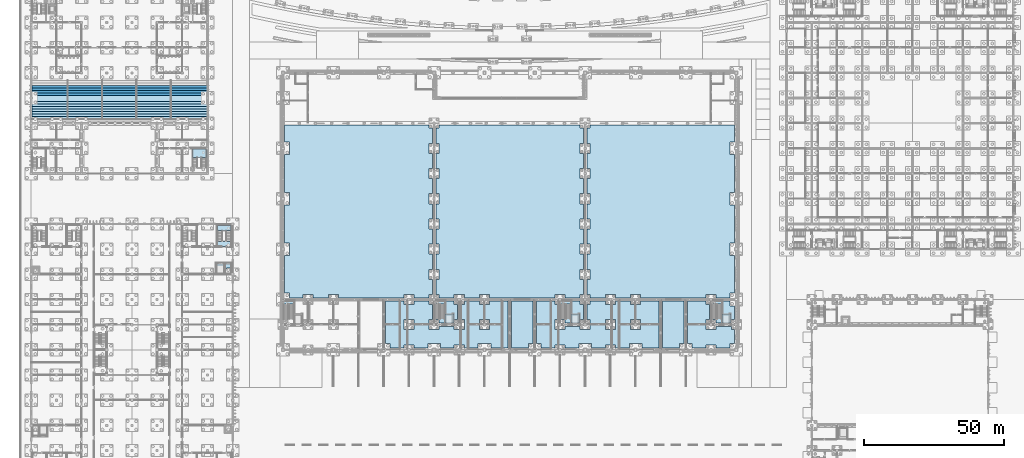
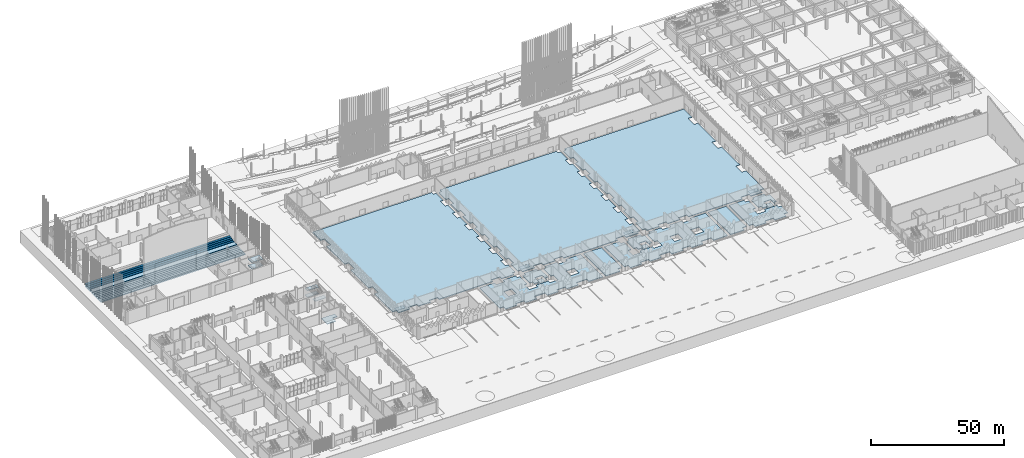
# One storey, part 68 of 198: 36 slabs, 6 elements without a shape of their own.
"""IFC4 building model written with IfcOpenShell, lengths in metres."""

from ifc_helpers import new_model, si_unit, direction, frame, origin, place, context, subcontext, project, spatial, polyline, outline, extrude, material, layer, layer_set, type_object, element, aggregate, save


model = new_model("IFC4")

# Units and contexts
model_context = context("Model", 3, precision=1e-05, world=origin(), true_north=direction((0.0, 1.0)))
body_context = subcontext(model_context, "Body", "Model", "MODEL_VIEW")
ifc_project = project(units=[si_unit("LENGTHUNIT", "METRE"), si_unit("AREAUNIT", "SQUARE_METRE"), si_unit("VOLUMEUNIT", "CUBIC_METRE"), si_unit("PLANEANGLEUNIT", "RADIAN"), si_unit("MASSUNIT", "GRAM", prefix="KILO")], contexts=[model_context])

# Site, building, storey
site_placement = place(None, origin())
site = spatial("IfcSite", under=ifc_project, at=site_placement, CompositionType="ELEMENT")
building_placement = place(site_placement, origin())
building = spatial("IfcBuilding", under=site, at=building_placement, Name="Opaline Strait Convention Centre", CompositionType="ELEMENT")
storey_placement = place(building_placement, origin())
storey = spatial("IfcBuildingStorey", under=building, at=storey_placement, Name="L00", CompositionType="ELEMENT", Elevation=0.0)

# Slabs
ifc_material_1 = material(Name="Concrete C30", Category="concrete")
ifc_layer_1 = layer(ifc_material_1, 0.300048828125)
ifc_layer_set_1 = layer_set([ifc_layer_1], Name="Concrete C30")
slab_type_1 = type_object("IfcSlabType", Name="Ground slab 300 C30", PredefinedType="BASESLAB", material=ifc_layer_set_1)
slab_1_placement = place(storey_placement, frame((0.0, 0.0, -0.300048828125)))
element("IfcSlab", 1, at=slab_1_placement, inside=storey, type_object=slab_type_1, Name="Ground slab pour W1", PredefinedType="BASESLAB", context=body_context, shape_type="SweptSolid", body=[
    extrude(outline(polyline([(99.60009765625, 74.25), (99.60009765625, 87.75), (101.25, 87.75), (101.25, 92.25), (99.60009765625, 92.25), (99.60009765625, 105.75), (101.25, 105.75), (101.25, 110.25), (99.60009765625, 110.25), (99.60009765625, 123.75), (101.25, 123.75), (101.25, 128.25), (99.60009765625, 128.25), (99.60009765625, 134.39990234375), (151.199951171875, 134.39990234375), (151.199951171875, 133.199951171875), (152.39990234375, 133.199951171875), (152.39990234375, 127.800048828125), (151.199951171875, 127.800048828125), (151.199951171875, 124.199951171875), (152.39990234375, 124.199951171875), (152.39990234375, 118.800048828125), (151.199951171875, 118.800048828125), (151.199951171875, 115.199951171875), (152.39990234375, 115.199951171875), (152.39990234375, 109.800048828125), (151.199951171875, 109.800048828125), (151.199951171875, 106.199951171875), (152.39990234375, 106.199951171875), (152.39990234375, 100.800048828125), (151.199951171875, 100.800048828125), (151.199951171875, 97.199951171875), (152.39990234375, 97.199951171875), (152.39990234375, 91.800048828125), (151.199951171875, 91.800048828125), (151.199951171875, 88.199951171875), (152.39990234375, 88.199951171875), (152.39990234375, 82.800048828125), (151.199951171875, 82.800048828125), (151.199951171875, 79.199951171875), (152.39990234375, 79.199951171875), (152.39990234375, 73.800048828125), (151.199951171875, 73.800048828125), (151.199951171875, 72.60009765625), (145.800048828125, 72.60009765625), (145.800048828125, 73.800048828125), (142.199951171875, 73.800048828125), (142.199951171875, 72.60009765625), (118.800048828125, 72.60009765625), (118.800048828125, 73.800048828125), (115.199951171875, 73.800048828125), (115.199951171875, 72.60009765625), (109.800048828125, 72.60009765625), (109.800048828125, 73.800048828125), (106.199951171875, 73.800048828125), (106.199951171875, 72.60009765625), (101.25, 72.60009765625), (101.25, 74.25), (99.60009765625, 74.25)])), origin(), (0.0, 0.0, 1.0), 0.300048828125),
])
slab_2_placement = place(storey_placement, frame((0.0, 0.0, -0.300048828125)))
element("IfcSlab", 2, at=slab_2_placement, inside=storey, type_object=slab_type_1, Name="Ground slab pour C1", PredefinedType="BASESLAB", context=body_context, shape_type="SweptSolid", body=[
    extrude(outline(polyline([(153.60009765625, 73.800048828125), (153.60009765625, 79.199951171875), (154.800048828125, 79.199951171875), (154.800048828125, 82.800048828125), (153.60009765625, 82.800048828125), (153.60009765625, 88.199951171875), (154.800048828125, 88.199951171875), (154.800048828125, 91.800048828125), (153.60009765625, 91.800048828125), (153.60009765625, 97.199951171875), (154.800048828125, 97.199951171875), (154.800048828125, 100.800048828125), (153.60009765625, 100.800048828125), (153.60009765625, 106.199951171875), (154.800048828125, 106.199951171875), (154.800048828125, 109.800048828125), (153.60009765625, 109.800048828125), (153.60009765625, 115.199951171875), (154.800048828125, 115.199951171875), (154.800048828125, 118.800048828125), (153.60009765625, 118.800048828125), (153.60009765625, 124.199951171875), (154.800048828125, 124.199951171875), (154.800048828125, 127.800048828125), (153.60009765625, 127.800048828125), (153.60009765625, 133.199951171875), (154.800048828125, 133.199951171875), (154.800048828125, 134.39990234375), (205.199951171875, 134.39990234375), (205.199951171875, 133.199951171875), (206.39990234375, 133.199951171875), (206.39990234375, 127.800048828125), (205.199951171875, 127.800048828125), (205.199951171875, 124.199951171875), (206.39990234375, 124.199951171875), (206.39990234375, 118.800048828125), (205.199951171875, 118.800048828125), (205.199951171875, 115.199951171875), (206.39990234375, 115.199951171875), (206.39990234375, 109.800048828125), (205.199951171875, 109.800048828125), (205.199951171875, 106.199951171875), (206.39990234375, 106.199951171875), (206.39990234375, 100.800048828125), (205.199951171875, 100.800048828125), (205.199951171875, 97.199951171875), (206.39990234375, 97.199951171875), (206.39990234375, 91.800048828125), (205.199951171875, 91.800048828125), (205.199951171875, 88.199951171875), (206.39990234375, 88.199951171875), (206.39990234375, 82.800048828125), (205.199951171875, 82.800048828125), (205.199951171875, 79.199951171875), (206.39990234375, 79.199951171875), (206.39990234375, 73.800048828125), (205.199951171875, 73.800048828125), (205.199951171875, 72.60009765625), (199.800048828125, 72.60009765625), (199.800048828125, 73.800048828125), (196.199951171875, 73.800048828125), (196.199951171875, 72.60009765625), (172.800048828125, 72.60009765625), (172.800048828125, 73.800048828125), (169.199951171875, 73.800048828125), (169.199951171875, 72.60009765625), (163.800048828125, 72.60009765625), (163.800048828125, 73.800048828125), (160.199951171875, 73.800048828125), (160.199951171875, 72.60009765625), (154.800048828125, 72.60009765625), (154.800048828125, 73.800048828125), (153.60009765625, 73.800048828125)])), origin(), (0.0, 0.0, 1.0), 0.300048828125),
])
slab_3_placement = place(storey_placement, frame((0.0, 0.0, -0.300048828125)))
element("IfcSlab", 3, at=slab_3_placement, inside=storey, type_object=slab_type_1, Name="Ground slab pour E1", PredefinedType="BASESLAB", context=body_context, shape_type="SweptSolid", body=[
    extrude(outline(polyline([(207.60009765625, 73.800048828125), (207.60009765625, 79.199951171875), (208.800048828125, 79.199951171875), (208.800048828125, 82.800048828125), (207.60009765625, 82.800048828125), (207.60009765625, 88.199951171875), (208.800048828125, 88.199951171875), (208.800048828125, 91.800048828125), (207.60009765625, 91.800048828125), (207.60009765625, 97.199951171875), (208.800048828125, 97.199951171875), (208.800048828125, 100.800048828125), (207.60009765625, 100.800048828125), (207.60009765625, 106.199951171875), (208.800048828125, 106.199951171875), (208.800048828125, 109.800048828125), (207.60009765625, 109.800048828125), (207.60009765625, 115.199951171875), (208.800048828125, 115.199951171875), (208.800048828125, 118.800048828125), (207.60009765625, 118.800048828125), (207.60009765625, 124.199951171875), (208.800048828125, 124.199951171875), (208.800048828125, 127.800048828125), (207.60009765625, 127.800048828125), (207.60009765625, 133.199951171875), (208.800048828125, 133.199951171875), (208.800048828125, 134.39990234375), (260.39990234375, 134.39990234375), (260.39990234375, 128.25), (258.75, 128.25), (258.75, 123.75), (260.39990234375, 123.75), (260.39990234375, 110.25), (258.75, 110.25), (258.75, 105.75), (260.39990234375, 105.75), (260.39990234375, 92.25), (258.75, 92.25), (258.75, 87.75), (260.39990234375, 87.75), (260.39990234375, 74.25), (258.75, 74.25), (258.75, 72.60009765625), (253.800048828125, 72.60009765625), (253.800048828125, 73.800048828125), (250.199951171875, 73.800048828125), (250.199951171875, 72.60009765625), (226.800048828125, 72.60009765625), (226.800048828125, 73.800048828125), (223.199951171875, 73.800048828125), (223.199951171875, 72.60009765625), (217.800048828125, 72.60009765625), (217.800048828125, 73.800048828125), (214.199951171875, 73.800048828125), (214.199951171875, 72.60009765625), (208.800048828125, 72.60009765625), (208.800048828125, 73.800048828125), (207.60009765625, 73.800048828125)])), origin(), (0.0, 0.0, 1.0), 0.300048828125),
])
slab_4_placement = place(storey_placement, frame((0.0, 0.0, -0.300048828125)))
element("IfcSlab", 4, at=slab_4_placement, inside=storey, type_object=slab_type_1, Name="Ground slab pour S1", PredefinedType="BASESLAB", context=body_context, shape_type="SweptSolid", body=[
    extrude(outline(polyline([(243.60009765625, 56.25), (243.60009765625, 71.39990234375), (250.199951171875, 71.39990234375), (250.199951171875, 70.199951171875), (251.39990234375, 70.199951171875), (251.39990234375, 64.800048828125), (250.199951171875, 64.800048828125), (250.199951171875, 61.199951171875), (253.800048828125, 61.199951171875), (253.800048828125, 62.39990234375), (259.199951171875, 62.39990234375), (259.199951171875, 61.199951171875), (260.39990234375, 61.199951171875), (260.39990234375, 56.25), (258.75, 56.25), (258.75, 54.60009765625), (253.800048828125, 54.60009765625), (253.800048828125, 55.800048828125), (250.199951171875, 55.800048828125), (250.199951171875, 54.60009765625), (245.25, 54.60009765625), (245.25, 56.25), (243.60009765625, 56.25)])), origin(), (0.0, 0.0, 1.0), 0.300048828125),
])
slab_5_placement = place(storey_placement, frame((0.0, 0.0, -0.300048828125)))
element("IfcSlab", 5, at=slab_5_placement, inside=storey, type_object=slab_type_1, Name="Ground slab pour S3", PredefinedType="BASESLAB", context=body_context, shape_type="SweptSolid", body=[
    extrude(outline(polyline([(135.60009765625, 56.25), (135.60009765625, 71.39990234375), (142.199951171875, 71.39990234375), (142.199951171875, 70.199951171875), (145.800048828125, 70.199951171875), (145.800048828125, 71.39990234375), (151.199951171875, 71.39990234375), (151.199951171875, 70.199951171875), (152.39990234375, 70.199951171875), (152.39990234375, 64.800048828125), (151.199951171875, 64.800048828125), (151.199951171875, 61.199951171875), (154.800048828125, 61.199951171875), (154.800048828125, 62.39990234375), (160.199951171875, 62.39990234375), (160.199951171875, 61.199951171875), (163.800048828125, 61.199951171875), (163.800048828125, 64.800048828125), (162.60009765625, 64.800048828125), (162.60009765625, 70.199951171875), (163.800048828125, 70.199951171875), (163.800048828125, 71.39990234375), (169.199951171875, 71.39990234375), (169.199951171875, 70.199951171875), (172.800048828125, 70.199951171875), (172.800048828125, 71.39990234375), (179.39990234375, 71.39990234375), (179.39990234375, 54.60009765625), (173.25, 54.60009765625), (173.25, 56.25), (168.75, 56.25), (168.75, 54.60009765625), (163.800048828125, 54.60009765625), (163.800048828125, 55.800048828125), (160.199951171875, 55.800048828125), (160.199951171875, 54.60009765625), (155.25, 54.60009765625), (155.25, 56.25), (150.75, 56.25), (150.75, 54.60009765625), (145.800048828125, 54.60009765625), (145.800048828125, 55.800048828125), (142.199951171875, 55.800048828125), (142.199951171875, 54.60009765625), (137.25, 54.60009765625), (137.25, 56.25), (135.60009765625, 56.25)]), holes=[polyline([(169.199951171875, 61.199951171875), (172.800048828125, 61.199951171875), (172.800048828125, 64.800048828125), (169.199951171875, 64.800048828125), (169.199951171875, 61.199951171875)]), polyline([(142.199951171875, 61.199951171875), (145.800048828125, 61.199951171875), (145.800048828125, 64.800048828125), (142.199951171875, 64.800048828125), (142.199951171875, 61.199951171875)])]), origin(), (0.0, 0.0, 1.0), 0.300048828125),
])
slab_6_placement = place(storey_placement, frame((0.0, 0.0, -0.300048828125)))
element("IfcSlab", 6, at=slab_6_placement, inside=storey, type_object=slab_type_1, Name="Ground slab pour S4", PredefinedType="BASESLAB", context=body_context, shape_type="SweptSolid", body=[
    extrude(outline(polyline([(189.60009765625, 56.25), (189.60009765625, 71.39990234375), (196.199951171875, 71.39990234375), (196.199951171875, 70.199951171875), (197.39990234375, 70.199951171875), (197.39990234375, 64.800048828125), (196.199951171875, 64.800048828125), (196.199951171875, 61.199951171875), (199.800048828125, 61.199951171875), (199.800048828125, 62.39990234375), (205.199951171875, 62.39990234375), (205.199951171875, 61.199951171875), (208.800048828125, 61.199951171875), (208.800048828125, 64.800048828125), (207.60009765625, 64.800048828125), (207.60009765625, 70.199951171875), (208.800048828125, 70.199951171875), (208.800048828125, 71.39990234375), (214.199951171875, 71.39990234375), (214.199951171875, 70.199951171875), (217.800048828125, 70.199951171875), (217.800048828125, 71.39990234375), (223.199951171875, 71.39990234375), (223.199951171875, 70.199951171875), (226.800048828125, 70.199951171875), (226.800048828125, 71.39990234375), (233.39990234375, 71.39990234375), (233.39990234375, 54.60009765625), (227.25, 54.60009765625), (227.25, 56.25), (222.75, 56.25), (222.75, 54.60009765625), (217.800048828125, 54.60009765625), (217.800048828125, 55.800048828125), (214.199951171875, 55.800048828125), (214.199951171875, 54.60009765625), (209.25, 54.60009765625), (209.25, 56.25), (204.75, 56.25), (204.75, 54.60009765625), (199.800048828125, 54.60009765625), (199.800048828125, 55.800048828125), (196.199951171875, 55.800048828125), (196.199951171875, 54.60009765625), (191.25, 54.60009765625), (191.25, 56.25), (189.60009765625, 56.25)]), holes=[polyline([(223.199951171875, 61.199951171875), (226.800048828125, 61.199951171875), (226.800048828125, 64.800048828125), (223.199951171875, 64.800048828125), (223.199951171875, 61.199951171875)]), polyline([(214.199951171875, 61.199951171875), (217.800048828125, 61.199951171875), (217.800048828125, 64.800048828125), (214.199951171875, 64.800048828125), (214.199951171875, 61.199951171875)])]), origin(), (0.0, 0.0, 1.0), 0.300048828125),
])
slab_7_placement = place(storey_placement, frame((0.0, 0.0, -0.300048828125)))
element("IfcSlab", 7, at=slab_7_placement, inside=storey, type_object=slab_type_1, Name="Ground slab pour S6", PredefinedType="BASESLAB", context=body_context, shape_type="SweptSolid", body=[
    extrude(outline(polyline([(180.60009765625, 54.60009765625), (180.60009765625, 71.39990234375), (188.39990234375, 71.39990234375), (188.39990234375, 56.25), (186.75, 56.25), (186.75, 54.60009765625), (180.60009765625, 54.60009765625)])), origin(), (0.0, 0.0, 1.0), 0.300048828125),
])
slab_8_placement = place(storey_placement, frame((0.0, 0.0, -0.300048828125)))
element("IfcSlab", 8, at=slab_8_placement, inside=storey, type_object=slab_type_1, Name="Ground slab pour S7", PredefinedType="BASESLAB", context=body_context, shape_type="SweptSolid", body=[
    extrude(outline(polyline([(234.60009765625, 54.60009765625), (234.60009765625, 71.39990234375), (242.39990234375, 71.39990234375), (242.39990234375, 56.25), (240.75, 56.25), (240.75, 54.60009765625), (234.60009765625, 54.60009765625)])), origin(), (0.0, 0.0, 1.0), 0.300048828125),
])
slab_9_placement = place(storey_placement, frame((0.0, 0.0, -0.300048828125)))
element("IfcSlab", 9, at=slab_9_placement, inside=storey, type_object=slab_type_1, Name="Ground slab pour S9", PredefinedType="BASESLAB", context=body_context, shape_type="SweptSolid", body=[
    extrude(outline(polyline([(252.60009765625, 64.800048828125), (252.60009765625, 70.199951171875), (253.800048828125, 70.199951171875), (253.800048828125, 71.39990234375), (258.75, 71.39990234375), (258.75, 69.75), (260.39990234375, 69.75), (260.39990234375, 64.800048828125), (259.199951171875, 64.800048828125), (259.199951171875, 63.60009765625), (259.050048828125, 63.60009765625), (259.050048828125, 66.85009765625), (255.949951171875, 66.85009765625), (255.949951171875, 63.60009765625), (253.800048828125, 63.60009765625), (253.800048828125, 64.800048828125), (252.60009765625, 64.800048828125)])), origin(), (0.0, 0.0, 1.0), 0.300048828125),
])
slab_10_placement = place(storey_placement, frame((0.0, 0.0, -0.300048828125)))
element("IfcSlab", 10, at=slab_10_placement, inside=storey, type_object=slab_type_1, Name="Ground slab pour S10", PredefinedType="BASESLAB", context=body_context, shape_type="SweptSolid", body=[
    extrude(outline(polyline([(153.60009765625, 64.800048828125), (153.60009765625, 70.199951171875), (154.800048828125, 70.199951171875), (154.800048828125, 71.39990234375), (160.199951171875, 71.39990234375), (160.199951171875, 70.199951171875), (161.39990234375, 70.199951171875), (161.39990234375, 64.800048828125), (160.199951171875, 64.800048828125), (160.199951171875, 63.60009765625), (160.050048828125, 63.60009765625), (160.050048828125, 66.85009765625), (156.949951171875, 66.85009765625), (156.949951171875, 63.60009765625), (154.800048828125, 63.60009765625), (154.800048828125, 64.800048828125), (153.60009765625, 64.800048828125)])), origin(), (0.0, 0.0, 1.0), 0.300048828125),
])
slab_11_placement = place(storey_placement, frame((0.0, 0.0, -0.300048828125)))
element("IfcSlab", 11, at=slab_11_placement, inside=storey, type_object=slab_type_1, Name="Ground slab pour S11", PredefinedType="BASESLAB", context=body_context, shape_type="SweptSolid", body=[
    extrude(outline(polyline([(198.60009765625, 64.800048828125), (198.60009765625, 70.199951171875), (199.800048828125, 70.199951171875), (199.800048828125, 71.39990234375), (205.199951171875, 71.39990234375), (205.199951171875, 70.199951171875), (206.39990234375, 70.199951171875), (206.39990234375, 64.800048828125), (205.199951171875, 64.800048828125), (205.199951171875, 63.60009765625), (205.050048828125, 63.60009765625), (205.050048828125, 66.85009765625), (201.949951171875, 66.85009765625), (201.949951171875, 63.60009765625), (199.800048828125, 63.60009765625), (199.800048828125, 64.800048828125), (198.60009765625, 64.800048828125)])), origin(), (0.0, 0.0, 1.0), 0.300048828125),
])
ifc_material_2 = material(Name="Concrete C35", Category="concrete")
ifc_layer_2 = layer(ifc_material_2, 0.300048828125)
ifc_layer_set_2 = layer_set([ifc_layer_2], Name="Concrete C35")
slab_type_2 = type_object("IfcSlabType", Name="Lift pit slab 300 C35", PredefinedType="BASESLAB", material=ifc_layer_set_2)
slab_12_placement = place(storey_placement, frame((0.0, 0.0, -1.699951171875)))
element("IfcSlab", 12, at=slab_12_placement, inside=storey, type_object=slab_type_2, Name="Goods lift 2 pit slab", PredefinedType="BASESLAB", context=body_context, shape_type="SweptSolid", body=[
    extrude(outline(polyline([(156.949951171875, 63.60009765625), (160.050048828125, 63.60009765625), (160.050048828125, 66.85009765625), (156.949951171875, 66.85009765625), (156.949951171875, 63.60009765625)])), origin(), (0.0, 0.0, 1.0), 0.300048828125),
])
slab_13_placement = place(storey_placement, frame((0.0, 0.0, -1.699951171875)))
element("IfcSlab", 13, at=slab_13_placement, inside=storey, type_object=slab_type_2, Name="Goods lift 3 pit slab", PredefinedType="BASESLAB", context=body_context, shape_type="SweptSolid", body=[
    extrude(outline(polyline([(201.949951171875, 63.60009765625), (205.050048828125, 63.60009765625), (205.050048828125, 66.85009765625), (201.949951171875, 66.85009765625), (201.949951171875, 63.60009765625)])), origin(), (0.0, 0.0, 1.0), 0.300048828125),
])
slab_14_placement = place(storey_placement, frame((0.0, 0.0, -1.699951171875)))
element("IfcSlab", 14, at=slab_14_placement, inside=storey, type_object=slab_type_2, Name="Goods lift 4 pit slab", PredefinedType="BASESLAB", context=body_context, shape_type="SweptSolid", body=[
    extrude(outline(polyline([(255.949951171875, 63.60009765625), (259.050048828125, 63.60009765625), (259.050048828125, 66.85009765625), (255.949951171875, 66.85009765625), (255.949951171875, 63.60009765625)])), origin(), (0.0, 0.0, 1.0), 0.300048828125),
])
slab_15_placement = place(storey_placement, frame((0.0, 0.0, -1.300048828125)))
element("IfcSlab", 15, at=slab_15_placement, inside=storey, type_object=slab_type_2, Name="Lift pit slab NE", PredefinedType="BASESLAB", context=body_context, shape_type="SweptSolid", body=[
    extrude(outline(polyline([(80.800048828125, 85.050048828125), (80.800048828125, 83.199951171875), (78.800048828125, 83.199951171875), (78.800048828125, 80.85009765625), (78.300048828125, 80.85009765625), (78.0, 80.85009765625), (75.0, 80.85009765625), (75.0, 85.050048828125), (78.0, 85.050048828125), (78.300048828125, 85.050048828125), (80.800048828125, 85.050048828125)])), origin(), (0.0, 0.0, 1.0), 0.300048828125),
])
ifc_layer_3 = layer(ifc_material_2, 0.300048828125)
ifc_layer_set_3 = layer_set([ifc_layer_3], Name="Concrete C35")
slab_type_3 = type_object("IfcSlabType", Name="Seating tier 300 C35", PredefinedType="USERDEFINED", material=ifc_layer_set_3)
slab_16_placement = place(storey_placement, frame((0.0, 0.0, -2.0)))
element("IfcSlab", 16, at=slab_16_placement, inside=storey, type_object=slab_type_3, Name="PT1 Stalls row 1", ObjectType="SEATING TIER", PredefinedType="USERDEFINED", context=body_context, shape_type="SweptSolid", body=[
    extrude(outline(polyline([(9.199951171875, 136.5), (9.199951171875, 137.39990234375), (71.800048828125, 137.39990234375), (71.800048828125, 136.5), (9.199951171875, 136.5)])), origin(), (0.0, 0.0, 1.0), 0.486083984375),
])
slab_17_placement = place(storey_placement, frame((0.0, 0.0, -2.0)))
element("IfcSlab", 17, at=slab_17_placement, inside=storey, type_object=slab_type_3, Name="PT1 Stalls row 2", ObjectType="SEATING TIER", PredefinedType="USERDEFINED", context=body_context, shape_type="SweptSolid", body=[
    extrude(outline(polyline([(9.199951171875, 137.39990234375), (9.199951171875, 138.300048828125), (71.800048828125, 138.300048828125), (71.800048828125, 137.39990234375), (9.199951171875, 137.39990234375)])), origin(), (0.0, 0.0, 1.0), 0.486083984375),
])
slab_18_placement = place(storey_placement, frame((0.0, 0.0, -2.0)))
element("IfcSlab", 18, at=slab_18_placement, inside=storey, type_object=slab_type_3, Name="PT1 Stalls row 3", ObjectType="SEATING TIER", PredefinedType="USERDEFINED", context=body_context, shape_type="SweptSolid", body=[
    extrude(outline(polyline([(9.199951171875, 138.300048828125), (9.199951171875, 139.199951171875), (71.800048828125, 139.199951171875), (71.800048828125, 138.300048828125), (9.199951171875, 138.300048828125)])), origin(), (0.0, 0.0, 1.0), 0.486083984375),
])
slab_19_placement = place(storey_placement, frame((0.0, 0.0, -2.0)))
element("IfcSlab", 19, at=slab_19_placement, inside=storey, type_object=slab_type_3, Name="PT1 Stalls row 4", ObjectType="SEATING TIER", PredefinedType="USERDEFINED", context=body_context, shape_type="SweptSolid", body=[
    extrude(outline(polyline([(9.199951171875, 139.199951171875), (9.199951171875, 140.10009765625), (71.800048828125, 140.10009765625), (71.800048828125, 139.199951171875), (9.199951171875, 139.199951171875)])), origin(), (0.0, 0.0, 1.0), 0.514892578125),
])
slab_20_placement = place(storey_placement, frame((0.0, 0.0, -2.0)))
element("IfcSlab", 20, at=slab_20_placement, inside=storey, type_object=slab_type_3, Name="PT1 Stalls row 5", ObjectType="SEATING TIER", PredefinedType="USERDEFINED", context=body_context, shape_type="SweptSolid", body=[
    extrude(outline(polyline([(9.199951171875, 140.10009765625), (9.199951171875, 141.0), (71.800048828125, 141.0), (71.800048828125, 140.10009765625), (9.199951171875, 140.10009765625)])), origin(), (0.0, 0.0, 1.0), 0.580078125),
])
slab_21_placement = place(storey_placement, frame((0.0, 0.0, -2.0)))
element("IfcSlab", 21, at=slab_21_placement, inside=storey, type_object=slab_type_3, Name="PT1 Stalls row 6", ObjectType="SEATING TIER", PredefinedType="USERDEFINED", context=body_context, shape_type="SweptSolid", body=[
    extrude(outline(polyline([(9.199951171875, 141.0), (9.199951171875, 141.89990234375), (71.800048828125, 141.89990234375), (71.800048828125, 141.0), (9.199951171875, 141.0)])), origin(), (0.0, 0.0, 1.0), 0.673095703125),
])
slab_22_placement = place(storey_placement, frame((0.0, 0.0, -2.0)))
element("IfcSlab", 22, at=slab_22_placement, inside=storey, type_object=slab_type_3, Name="PT1 Stalls row 7", ObjectType="SEATING TIER", PredefinedType="USERDEFINED", context=body_context, shape_type="SweptSolid", body=[
    extrude(outline(polyline([(9.199951171875, 141.89990234375), (9.199951171875, 142.800048828125), (71.800048828125, 142.800048828125), (71.800048828125, 141.89990234375), (9.199951171875, 141.89990234375)])), origin(), (0.0, 0.0, 1.0), 0.7890625),
])
slab_23_placement = place(storey_placement, frame((0.0, 0.0, -2.0)))
element("IfcSlab", 23, at=slab_23_placement, inside=storey, type_object=slab_type_3, Name="PT1 Stalls row 8", ObjectType="SEATING TIER", PredefinedType="USERDEFINED", context=body_context, shape_type="SweptSolid", body=[
    extrude(outline(polyline([(71.800048828125, 142.800048828125), (9.199951171875, 142.800048828125), (9.199951171875, 143.60009765625), (9.39990234375, 143.60009765625), (9.39990234375, 144.39990234375), (9.199951171875, 144.39990234375), (9.199951171875, 144.89990234375), (71.800048828125, 144.89990234375), (71.800048828125, 144.39990234375), (71.60009765625, 144.39990234375), (71.60009765625, 143.60009765625), (71.800048828125, 143.60009765625), (71.800048828125, 142.800048828125)])), origin(), (0.0, 0.0, 1.0), 0.93603515625),
])
slab_24_placement = place(storey_placement, frame((0.0, 0.0, -2.0)))
element("IfcSlab", 24, at=slab_24_placement, inside=storey, type_object=slab_type_3, Name="PT1 Stalls row 9", ObjectType="SEATING TIER", PredefinedType="USERDEFINED", context=body_context, shape_type="SweptSolid", body=[
    extrude(outline(polyline([(9.199951171875, 144.89990234375), (9.199951171875, 145.800048828125), (71.800048828125, 145.800048828125), (71.800048828125, 144.89990234375), (9.199951171875, 144.89990234375)])), origin(), (0.0, 0.0, 1.0), 1.0849609375),
])
slab_25_placement = place(storey_placement, frame((0.0, 0.0, -2.0)))
element("IfcSlab", 25, at=slab_25_placement, inside=storey, type_object=slab_type_3, Name="PT1 Stalls row 10", ObjectType="SEATING TIER", PredefinedType="USERDEFINED", context=body_context, shape_type="SweptSolid", body=[
    extrude(outline(polyline([(9.199951171875, 145.800048828125), (9.199951171875, 146.699951171875), (71.800048828125, 146.699951171875), (71.800048828125, 145.800048828125), (9.199951171875, 145.800048828125)])), origin(), (0.0, 0.0, 1.0), 1.2470703125),
])
slab_26_placement = place(storey_placement, frame((0.0, 0.0, -2.0)))
element("IfcSlab", 26, at=slab_26_placement, inside=storey, type_object=slab_type_3, Name="PT1 Stalls row 11", ObjectType="SEATING TIER", PredefinedType="USERDEFINED", context=body_context, shape_type="SweptSolid", body=[
    extrude(outline(polyline([(9.199951171875, 146.699951171875), (9.199951171875, 147.60009765625), (71.800048828125, 147.60009765625), (71.800048828125, 146.699951171875), (9.199951171875, 146.699951171875)])), origin(), (0.0, 0.0, 1.0), 1.419921875),
])
slab_27_placement = place(storey_placement, frame((0.0, 0.0, -2.0)))
element("IfcSlab", 27, at=slab_27_placement, inside=storey, type_object=slab_type_3, Name="PT1 Stalls row 12", ObjectType="SEATING TIER", PredefinedType="USERDEFINED", context=body_context, shape_type="SweptSolid", body=[
    extrude(outline(polyline([(9.199951171875, 147.60009765625), (9.199951171875, 148.5), (71.800048828125, 148.5), (71.800048828125, 147.60009765625), (9.199951171875, 147.60009765625)])), origin(), (0.0, 0.0, 1.0), 1.60400390625),
])

# Stair, slab
ifc_material_3 = material(Name="Concrete C40", Category="concrete")
stair_type_1 = type_object("IfcStairType", Name="Exit stair dogleg 1800", PredefinedType="HALF_TURN_STAIR", material=ifc_material_3)
stair_1_placement = place(storey_placement, origin())
stair_1 = element("IfcStair", 28, at=stair_1_placement, inside=storey, type_object=stair_type_1, Name="L00 Strip stair 1", ObjectType="XST", PredefinedType="HALF_TURN_STAIR")
ifc_layer_4 = layer(ifc_material_3, 0.199951171875)
ifc_layer_set_4 = layer_set([ifc_layer_4], Name="Concrete C40")
slab_type_4 = type_object("IfcSlabType", Name="Stair landing 200 C40", PredefinedType="LANDING", material=ifc_layer_set_4)
slab_28_placement = place(storey_placement, frame((0.0, 0.0, 2.800048828125)))
slab_28 = element("IfcSlab", 29, at=slab_28_placement, type_object=slab_type_4, Name="XST1 landing 1", ObjectType="RSL1", PredefinedType="LANDING", context=body_context, shape_type="SweptSolid", body=[
    extrude(outline(polyline([(102.949951171875, 70.34912109375), (102.949951171875, 72.14990234375), (99.199951171875, 72.14990234375), (99.199951171875, 70.34912109375), (102.949951171875, 70.34912109375)])), origin(), (0.0, 0.0, 1.0), 0.199951171875),
])
aggregate(stair_1, [slab_28])

stair_2_placement = place(storey_placement, origin())
stair_2 = element("IfcStair", 30, at=stair_2_placement, inside=storey, type_object=stair_type_1, Name="L00 Strip stair 2", ObjectType="XST", PredefinedType="HALF_TURN_STAIR")
slab_29_placement = place(storey_placement, frame((0.0, 0.0, 2.800048828125)))
slab_29 = element("IfcSlab", 31, at=slab_29_placement, type_object=slab_type_4, Name="XST2 landing 1", ObjectType="RSL1", PredefinedType="LANDING", context=body_context, shape_type="SweptSolid", body=[
    extrude(outline(polyline([(156.949951171875, 70.34912109375), (156.949951171875, 72.14990234375), (153.199951171875, 72.14990234375), (153.199951171875, 70.34912109375), (156.949951171875, 70.34912109375)])), origin(), (0.0, 0.0, 1.0), 0.199951171875),
])
aggregate(stair_2, [slab_29])

stair_3_placement = place(storey_placement, origin())
stair_3 = element("IfcStair", 32, at=stair_3_placement, inside=storey, type_object=stair_type_1, Name="L00 Strip stair 3", ObjectType="XST", PredefinedType="HALF_TURN_STAIR")
slab_30_placement = place(storey_placement, frame((0.0, 0.0, 2.800048828125)))
slab_30 = element("IfcSlab", 33, at=slab_30_placement, type_object=slab_type_4, Name="XST3 landing 1", ObjectType="RSL1", PredefinedType="LANDING", context=body_context, shape_type="SweptSolid", body=[
    extrude(outline(polyline([(201.949951171875, 70.34912109375), (201.949951171875, 72.14990234375), (198.199951171875, 72.14990234375), (198.199951171875, 70.34912109375), (201.949951171875, 70.34912109375)])), origin(), (0.0, 0.0, 1.0), 0.199951171875),
])
aggregate(stair_3, [slab_30])

stair_4_placement = place(storey_placement, origin())
stair_4 = element("IfcStair", 34, at=stair_4_placement, inside=storey, type_object=stair_type_1, Name="L00 Strip stair 4", ObjectType="XST", PredefinedType="HALF_TURN_STAIR")
slab_31_placement = place(storey_placement, frame((0.0, 0.0, 2.800048828125)))
slab_31 = element("IfcSlab", 35, at=slab_31_placement, type_object=slab_type_4, Name="XST4 landing 1", ObjectType="RSL1", PredefinedType="LANDING", context=body_context, shape_type="SweptSolid", body=[
    extrude(outline(polyline([(255.949951171875, 70.34912109375), (255.949951171875, 72.14990234375), (252.199951171875, 72.14990234375), (252.199951171875, 70.34912109375), (255.949951171875, 70.34912109375)])), origin(), (0.0, 0.0, 1.0), 0.199951171875),
])
aggregate(stair_4, [slab_31])

# Stair, slabs
stair_type_2 = type_object("IfcStairType", Name="Exit stair two flights 1800 C40", PredefinedType="HALF_TURN_STAIR", material=ifc_material_3)
stair_5_placement = place(storey_placement, origin())
stair_5 = element("IfcStair", 36, at=stair_5_placement, inside=storey, type_object=stair_type_2, Name="L00 NEA", ObjectType="RST1", PredefinedType="HALF_TURN_STAIR")
slab_32_placement = place(storey_placement, frame((0.0, 0.0, 1.300048828125)))
slab_32 = element("IfcSlab", 37, at=slab_32_placement, type_object=slab_type_4, Name="NEA landing 1", ObjectType="RSL1", PredefinedType="LANDING", context=body_context, shape_type="SweptSolid", body=[
    extrude(outline(polyline([(80.5, 96.580078125), (80.5, 98.5), (75.550048828125, 98.5), (75.550048828125, 96.580078125), (80.5, 96.580078125)])), origin(), (0.0, 0.0, 1.0), 0.199951171875),
])
slab_33_placement = place(storey_placement, frame((0.0, 0.0, 2.800048828125)))
slab_33 = element("IfcSlab", 38, at=slab_33_placement, type_object=slab_type_4, Name="NEA landing 2", ObjectType="RSL1", PredefinedType="LANDING", context=body_context, shape_type="SweptSolid", body=[
    extrude(outline(polyline([(80.5, 91.0), (80.5, 92.800048828125), (75.550048828125, 92.800048828125), (75.550048828125, 91.0), (80.5, 91.0)])), origin(), (0.0, 0.0, 1.0), 0.199951171875),
])
slab_34_placement = place(storey_placement, frame((0.0, 0.0, 4.300048828125)))
slab_34 = element("IfcSlab", 39, at=slab_34_placement, type_object=slab_type_4, Name="NEA landing 3", ObjectType="RSL1", PredefinedType="LANDING", context=body_context, shape_type="SweptSolid", body=[
    extrude(outline(polyline([(80.5, 96.580078125), (80.5, 98.5), (75.550048828125, 98.5), (75.550048828125, 96.580078125), (80.5, 96.580078125)])), origin(), (0.0, 0.0, 1.0), 0.199951171875),
])
aggregate(stair_5, [slab_32, slab_33, slab_34])

stair_type_3 = type_object("IfcStairType", Name="Core stair half turn 2400", PredefinedType="HALF_TURN_STAIR", material=ifc_material_3)
stair_6_placement = place(storey_placement, origin())
stair_6 = element("IfcStair", 40, at=stair_6_placement, inside=storey, type_object=stair_type_3, Name="L00 SE core stair", ObjectType="PST2", PredefinedType="HALF_TURN_STAIR")
ifc_layer_5 = layer(ifc_material_3, 0.199951171875)
ifc_layer_set_5 = layer_set([ifc_layer_5], Name="Concrete C40")
slab_type_5 = type_object("IfcSlabType", Name="Stair landing 200 precast", PredefinedType="LANDING", material=ifc_layer_set_5)
slab_35_placement = place(storey_placement, frame((0.0, 0.0, 1.300048828125)))
slab_35 = element("IfcSlab", 41, at=slab_35_placement, type_object=slab_type_5, Name="PSR2 landing 1", ObjectType="PSL1", PredefinedType="LANDING", context=body_context, shape_type="SweptSolid", body=[
    extrude(outline(polyline([(71.60009765625, 122.830078125), (71.60009765625, 125.85009765625), (66.64990234375, 125.85009765625), (66.64990234375, 122.830078125), (71.60009765625, 122.830078125)])), origin(), (0.0, 0.0, 1.0), 0.199951171875),
])
slab_36_placement = place(storey_placement, frame((0.0, 0.0, 4.300048828125)))
slab_36 = element("IfcSlab", 42, at=slab_36_placement, type_object=slab_type_5, Name="PSR2 landing 3", ObjectType="PSL1", PredefinedType="LANDING", context=body_context, shape_type="SweptSolid", body=[
    extrude(outline(polyline([(71.60009765625, 122.830078125), (71.60009765625, 125.85009765625), (66.64990234375, 125.85009765625), (66.64990234375, 122.830078125), (71.60009765625, 122.830078125)])), origin(), (0.0, 0.0, 1.0), 0.199951171875),
])
aggregate(stair_6, [slab_35, slab_36])

save(model, "model.ifc")
